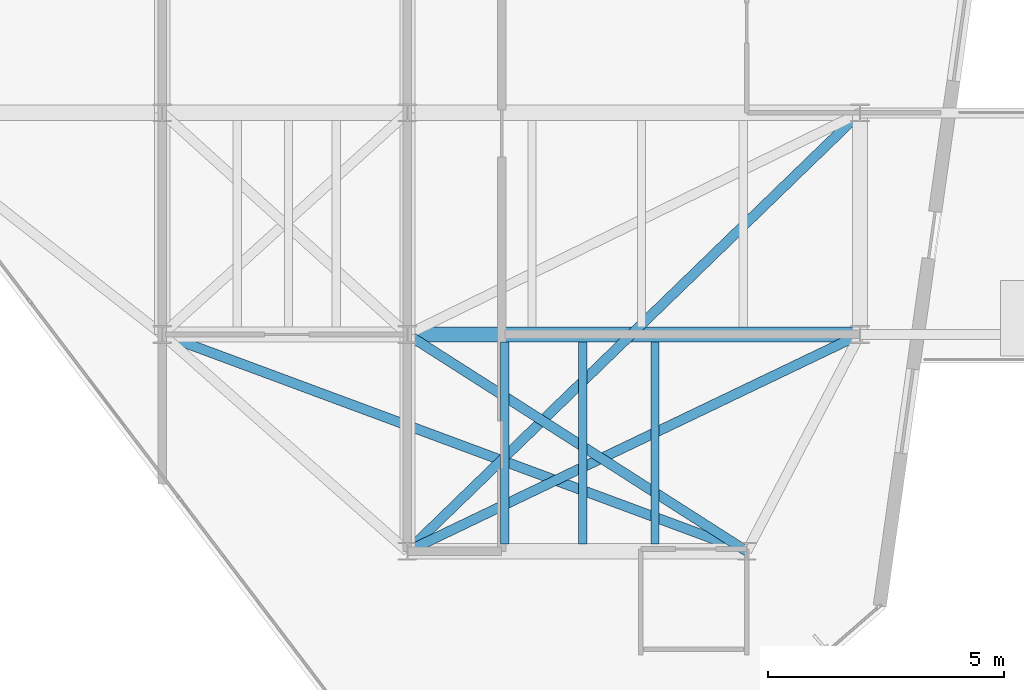
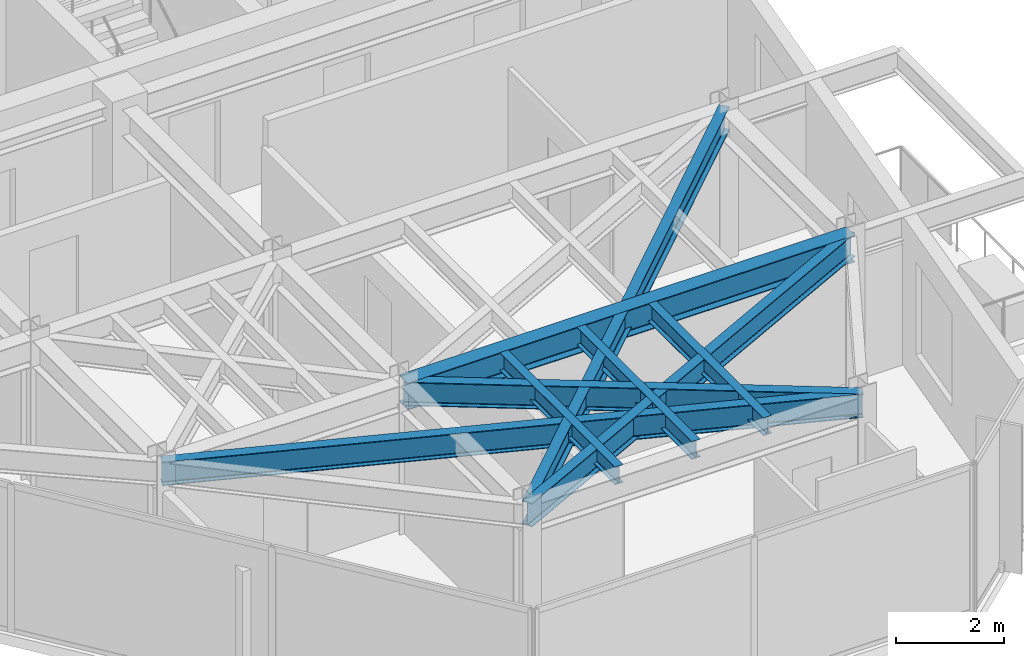
# One storey, part 7 of 17: 8 beams.
"""IFC4 building model written with IfcOpenShell, lengths in metres."""

from ifc_helpers import new_model, si_unit, direction, frame, origin, origin_2d, place, context, subcontext, project, spatial, i_section, extrude, material, material_profile, profile_set, type_object, element, save


model = new_model("IFC4")

# Units and contexts
model_context = context("Model", 3, precision=1e-05, world=origin(), true_north=direction((0.0, 1.0)))
body_context = subcontext(model_context, "Body", "Model", "MODEL_VIEW")
ifc_project = project(units=[si_unit("LENGTHUNIT", "METRE"), si_unit("AREAUNIT", "SQUARE_METRE"), si_unit("VOLUMEUNIT", "CUBIC_METRE"), si_unit("PLANEANGLEUNIT", "RADIAN"), si_unit("MASSUNIT", "GRAM", prefix="KILO")], contexts=[model_context])

# Site, building, storey
site_placement = place(None, origin())
site = spatial("IfcSite", under=ifc_project, at=site_placement, CompositionType="ELEMENT")
building_placement = place(site_placement, origin())
building = spatial("IfcBuilding", under=site, at=building_placement, Name="Kravanh Interchange Tower", CompositionType="ELEMENT")
storey_placement = place(building_placement, frame((0.0, 0.0, 289.5)))
storey = spatial("IfcBuildingStorey", under=building, at=storey_placement, Name="L71", CompositionType="ELEMENT", Elevation=289.5)

# Beams
ifc_material_1 = material(Name="Structural Steel S355", Category="steel")
ifc_material_profile_1 = material_profile(ifc_material_1, i_section(OverallWidth=0.323974609375, OverallDepth=0.611083984375, WebThickness=0.0126953125, FlangeThickness=0.01904296875, FilletRadius=0.02197265625, at=origin_2d()), Name="W24X104")
ifc_profile_set_1 = profile_set([ifc_material_profile_1], Name="Structural Steel S355")
beam_type_1 = type_object("IfcBeamType", Name="Floor Beam W24X104 Structural Steel S355", PredefinedType="BEAM", material=ifc_profile_set_1)
beam_1_placement = place(storey_placement, frame((56.0, 26.800048828125, 3.0595703125), z_axis=(1.0, 0.0, 0.0), x_axis=(0.0, 1.0, 0.0)))
element("IfcBeam", 1, at=beam_1_placement, inside=storey, type_object=beam_type_1, Name="L71 Primary Floor Girder 30", PredefinedType="BEAM", context=body_context, shape_type="SweptSolid", body=[
    extrude(i_section(OverallWidth=0.323974609375, OverallDepth=0.611083984375, WebThickness=0.0126953125, FlangeThickness=0.01904296875, FilletRadius=0.02197265625, at=origin_2d()), origin(), (0.0, 0.0, 1.0), 9.60009765625),
])
ifc_material_2 = material(Name="Structural Steel S355", Category="steel")
ifc_material_profile_2 = material_profile(ifc_material_2, i_section(OverallWidth=0.177978515625, OverallDepth=0.406005859375, WebThickness=0.0078125, FlangeThickness=0.0126953125, FilletRadius=0.01611328125, at=origin_2d()), Name="W16X40")
ifc_profile_set_2 = profile_set([ifc_material_profile_2], Name="Structural Steel S355")
beam_type_2 = type_object("IfcBeamType", Name="Floor Joist W16X40 Structural Steel S355", PredefinedType="JOIST", material=ifc_profile_set_2)
for number, where, z_axis, x_axis, name in (
    (2, (58.06591796875, 22.35693359375, 3.162109375), (0.0, 1.0, 0.0), (-1.0, 0.0, 0.0), "L71 Secondary Floor Joist 1"),
    (3, (59.718017578125, 22.35693359375, 3.162109375), (0.0, 1.0, 0.0), (-1.0, 0.0, 0.0), "L71 Secondary Floor Joist 2"),
    (4, (61.251953125, 22.35693359375, 3.162109375), (0.0, 1.0, 0.0), (-1.0, 0.0, 0.0), "L71 Secondary Floor Joist 3"),
):
    element("IfcBeam", number, at=place(storey_placement, frame(where, z_axis=z_axis, x_axis=x_axis)), inside=storey, type_object=beam_type_2, Name=name, PredefinedType="JOIST", context=body_context, shape_type="SweptSolid", body=[
        extrude(i_section(OverallWidth=0.177978515625, OverallDepth=0.406005859375, WebThickness=0.0078125, FlangeThickness=0.0126953125, FilletRadius=0.01611328125, at=origin_2d()), origin(), (0.0, 0.0, 1.0), 4.2861328125),
    ])
ifc_material_3 = material(Name="Structural Steel S355", Category="steel")
ifc_material_profile_3 = material_profile(ifc_material_3, i_section(OverallWidth=0.2099609375, OverallDepth=0.537109375, WebThickness=0.010986328125, FlangeThickness=0.017333984375, FilletRadius=0.02001953125, at=origin_2d()), Name="W21X68")
ifc_profile_set_3 = profile_set([ifc_material_profile_3], Name="Structural Steel S355")
beam_type_3 = type_object("IfcBeamType", Name="Floor Spandrel W21X68 Structural Steel S355", PredefinedType="SPANDREL", material=ifc_profile_set_3)
beam_2_placement = place(storey_placement, frame((65.60009765625, 31.5, 3.096435546875), z_axis=(-0.718241934329, -0.695793449072, 0.0), x_axis=(0.695793449072, -0.718241934329, 0.0)))
element("IfcBeam", 5, at=beam_2_placement, inside=storey, type_object=beam_type_3, Name="L71 Perimeter Spandrel 16", PredefinedType="SPANDREL", context=body_context, shape_type="SweptSolid", body=[
    extrude(i_section(OverallWidth=0.2099609375, OverallDepth=0.537109375, WebThickness=0.010986328125, FlangeThickness=0.017333984375, FilletRadius=0.02001953125, at=origin_2d()), origin(), (0.0, 0.0, 1.0), 13.3662109375),
])
beam_3_placement = place(storey_placement, frame((50.800048828125, 26.800048828125, 3.096435546875), z_axis=(0.937562917338, -0.347815721372, 0.0), x_axis=(0.347815721372, 0.937562917338, 0.0)))
element("IfcBeam", 6, at=beam_3_placement, inside=storey, type_object=beam_type_3, Name="L71 Perimeter Spandrel 27", PredefinedType="SPANDREL", context=body_context, shape_type="SweptSolid", body=[
    extrude(i_section(OverallWidth=0.2099609375, OverallDepth=0.537109375, WebThickness=0.010986328125, FlangeThickness=0.017333984375, FilletRadius=0.02001953125, at=origin_2d()), origin(), (0.0, 0.0, 1.0), 13.2255859375),
])
beam_4_placement = place(storey_placement, frame((56.0, 26.800048828125, 3.096435546875), z_axis=(0.842689417531, -0.53839998661, 0.0), x_axis=(0.53839998661, 0.842689417531, 0.0)))
element("IfcBeam", 7, at=beam_4_placement, inside=storey, type_object=beam_type_3, Name="L71 Perimeter Spandrel 29", PredefinedType="SPANDREL", context=body_context, shape_type="SweptSolid", body=[
    extrude(i_section(OverallWidth=0.2099609375, OverallDepth=0.537109375, WebThickness=0.010986328125, FlangeThickness=0.017333984375, FilletRadius=0.02001953125, at=origin_2d()), origin(), (0.0, 0.0, 1.0), 8.5439453125),
])
beam_5_placement = place(storey_placement, frame((65.60009765625, 26.800048828125, 3.096435546875), z_axis=(-0.901814166789, -0.432124066188, 0.0), x_axis=(0.432124066188, -0.901814166789, 0.0)))
element("IfcBeam", 8, at=beam_5_placement, inside=storey, type_object=beam_type_3, Name="L71 Perimeter Spandrel 32", PredefinedType="SPANDREL", context=body_context, shape_type="SweptSolid", body=[
    extrude(i_section(OverallWidth=0.2099609375, OverallDepth=0.537109375, WebThickness=0.010986328125, FlangeThickness=0.017333984375, FilletRadius=0.02001953125, at=origin_2d()), origin(), (0.0, 0.0, 1.0), 10.645263671875),
])

save(model, "model.ifc")
